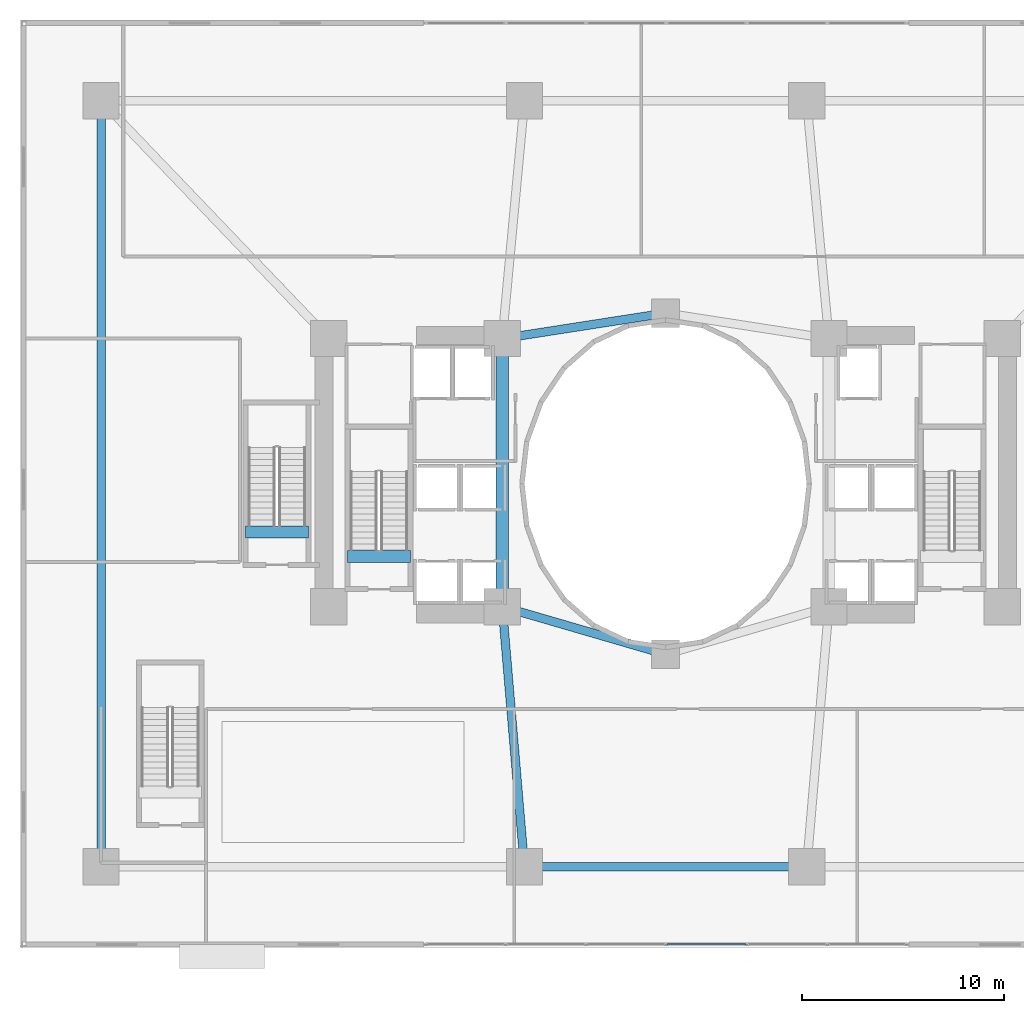
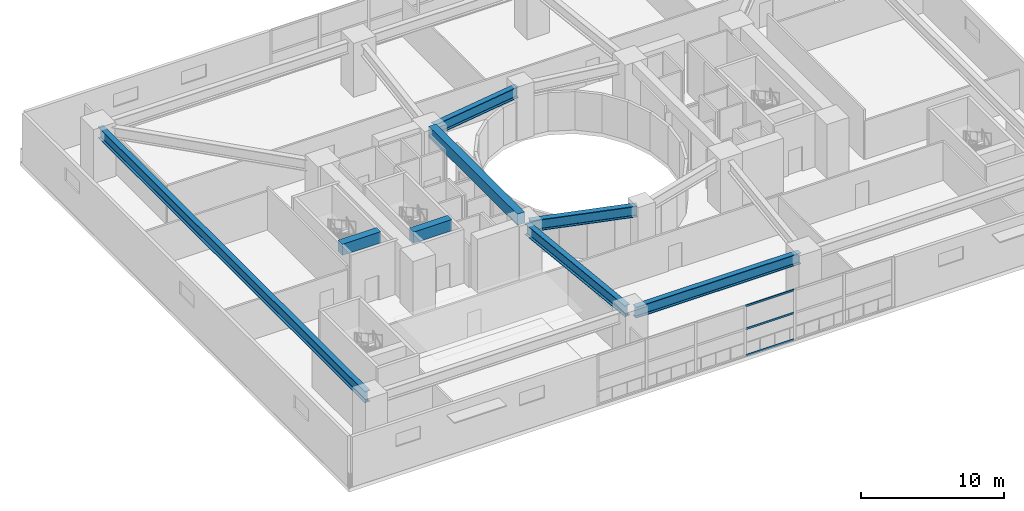
# One storey, part 3 of 20: 8 beams, 3 members, 1 element without a shape of its own.
"""IFC4 building model written with IfcOpenShell, lengths in metres."""

from ifc_helpers import new_model, si_unit, direction, frame, origin, origin_2d, place, context, subcontext, project, spatial, rectangle, hollow_rectangle, i_section, extrude, material, layer, layer_set, material_profile, profile_set, type_object, element, aggregate, save


model = new_model("IFC4")

# Units and contexts
model_context = context("Model", 3, precision=1e-05, world=origin(), true_north=direction((0.0, 1.0)))
body_context = subcontext(model_context, "Body", "Model", "MODEL_VIEW")
ifc_project = project(units=[si_unit("LENGTHUNIT", "METRE"), si_unit("AREAUNIT", "SQUARE_METRE"), si_unit("VOLUMEUNIT", "CUBIC_METRE"), si_unit("PLANEANGLEUNIT", "RADIAN"), si_unit("MASSUNIT", "GRAM", prefix="KILO")], contexts=[model_context])

# Site, building, storey
site_placement = place(None, origin())
site = spatial("IfcSite", under=ifc_project, at=site_placement, CompositionType="ELEMENT")
building_placement = place(site_placement, origin())
building = spatial("IfcBuilding", under=site, at=building_placement, Name="Solvane Sanctuary Tower", CompositionType="ELEMENT")
storey_placement = place(building_placement, frame((0.0, 0.0, 9.199951171875)))
storey = spatial("IfcBuildingStorey", under=building, at=storey_placement, Name="L03", CompositionType="ELEMENT", Elevation=9.199951171875)

# Beams
ifc_material_1 = material(Name="Concrete C70/85", Category="concrete")
ifc_material_profile_1 = material_profile(ifc_material_1, rectangle(XDim=0.60009765625, YDim=0.949951171875, at=origin_2d()), Name="RC600X950")
ifc_profile_set_1 = profile_set([ifc_material_profile_1], Name="Concrete C70/85")
beam_type_1 = type_object("IfcBeamType", Name="Beam B-COUPLE RC600X950", PredefinedType="LINTEL", material=ifc_profile_set_1)
beam_1_placement = place(storey_placement, frame((23.89990234375, 17.35009765625, 4.125), z_axis=(0.0, 1.0, 0.0), x_axis=(-1.0, 0.0, 0.0)))
element("IfcBeam", 1, at=beam_1_placement, inside=storey, type_object=beam_type_1, Name="L03 West Core Coupling Lintel", PredefinedType="LINTEL", context=body_context, shape_type="SweptSolid", body=[
    extrude(rectangle(XDim=0.60009765625, YDim=0.949951171875, at=origin_2d()), origin(), (0.0, 0.0, 1.0), 12.39990234375),
])
for number, where, z_axis, x_axis, name in (
    (2, (16.22998046875, 19.399169921875, 4.125), (1.0, 0.0, 0.0), (0.0, 1.0, 0.0), "L03 ST-1 Stair Floor Landing Trimmer"),
    (3, (11.169921875, 20.59912109375, 4.125), (1.0, 0.0, 0.0), (0.0, 1.0, 0.0), "L03 ST-3 Stair Floor Landing Trimmer"),
):
    element("IfcBeam", number, at=place(storey_placement, frame(where, z_axis=z_axis, x_axis=x_axis)), inside=storey, type_object=beam_type_1, Name=name, PredefinedType="LINTEL", context=body_context, shape_type="SweptSolid", body=[
        extrude(rectangle(XDim=0.60009765625, YDim=0.949951171875, at=origin_2d()), origin(), (0.0, 0.0, 1.0), 3.1201171875),
    ])
ifc_material_2 = material(Name="Steel ASTM A913 Grade 65", Category="steel")
ifc_material_profile_2 = material_profile(ifc_material_2, i_section(OverallWidth=0.423095703125, OverallDepth=0.947998046875, WebThickness=0.02392578125, FlangeThickness=0.042724609375, FilletRadius=0.02392578125, at=origin_2d()), Name="W36X302")
ifc_profile_set_2 = profile_set([ifc_material_profile_2], Name="Steel ASTM A913 Grade 65")
beam_type_2 = type_object("IfcBeamType", Name="Beam B-POD-GIRD W36X302", PredefinedType="BEAM", material=ifc_profile_set_2)
beam_2_placement = place(storey_placement, frame((25.35009765625, 4.0, 3.803955078125), z_axis=(1.0, 0.0, 0.0), x_axis=(0.0, 1.0, 0.0)))
element("IfcBeam", 4, at=beam_2_placement, inside=storey, type_object=beam_type_2, Name="L03 Podium Primary Girder PG2", PredefinedType="BEAM", context=body_context, shape_type="SweptSolid", body=[
    extrude(i_section(OverallWidth=0.423095703125, OverallDepth=0.947998046875, WebThickness=0.02392578125, FlangeThickness=0.042724609375, FilletRadius=0.02392578125, at=origin_2d()), origin(), (0.0, 0.0, 1.0), 13.2998046875),
])
beam_3_placement = place(storey_placement, frame((4.0, 41.64990234375, 3.803955078125), z_axis=(0.0, -1.0, 0.0), x_axis=(1.0, 0.0, 0.0)))
element("IfcBeam", 5, at=beam_3_placement, inside=storey, type_object=beam_type_2, Name="L03 Podium Primary Girder PG8", PredefinedType="BEAM", context=body_context, shape_type="SweptSolid", body=[
    extrude(i_section(OverallWidth=0.423095703125, OverallDepth=0.947998046875, WebThickness=0.02392578125, FlangeThickness=0.042724609375, FilletRadius=0.02392578125, at=origin_2d()), origin(), (0.0, 0.0, 1.0), 37.2998046875),
])
beam_4_placement = place(storey_placement, frame((24.97021484375, 4.3486328125, 3.803955078125), z_axis=(-0.084962372295, 0.996384160499, 0.0), x_axis=(-0.996384160499, -0.084962372295, 0.0)))
element("IfcBeam", 6, at=beam_4_placement, inside=storey, type_object=beam_type_2, Name="L03 Podium Primary Girder PG9", PredefinedType="BEAM", context=body_context, shape_type="SweptSolid", body=[
    extrude(i_section(OverallWidth=0.423095703125, OverallDepth=0.947998046875, WebThickness=0.02392578125, FlangeThickness=0.042724609375, FilletRadius=0.02392578125, at=origin_2d()), origin(), (0.0, 0.0, 1.0), 12.246826171875),
])
beam_5_placement = place(storey_placement, frame((24.236083984375, 16.802001953125, 3.803955078125), z_axis=(0.960084424813, -0.279710380987, 0.0), x_axis=(0.279710380987, 0.960084424813, 0.0)))
element("IfcBeam", 7, at=beam_5_placement, inside=storey, type_object=beam_type_2, Name="L03 Podium Primary Girder PG17", PredefinedType="BEAM", context=body_context, shape_type="SweptSolid", body=[
    extrude(i_section(OverallWidth=0.423095703125, OverallDepth=0.947998046875, WebThickness=0.02392578125, FlangeThickness=0.042724609375, FilletRadius=0.02392578125, at=origin_2d()), origin(), (0.0, 0.0, 1.0), 7.73681640625),
])
beam_6_placement = place(storey_placement, frame((24.245849609375, 30.25390625, 3.803955078125), z_axis=(0.988118117449, 0.153696408448, 0.0), x_axis=(-0.153696408448, 0.988118117449, 0.0)))
element("IfcBeam", 8, at=beam_6_placement, inside=storey, type_object=beam_type_2, Name="L03 Podium Primary Girder PG19", PredefinedType="BEAM", context=body_context, shape_type="SweptSolid", body=[
    extrude(i_section(OverallWidth=0.423095703125, OverallDepth=0.947998046875, WebThickness=0.02392578125, FlangeThickness=0.042724609375, FilletRadius=0.02392578125, at=origin_2d()), origin(), (0.0, 0.0, 1.0), 7.49755859375),
])

# Curtain wall, members
ifc_material_3 = material(Name="Anodised Aluminium 6063-T6", Category="aluminium")
ifc_layer = layer(ifc_material_3, 0.159912109375, Name="Anodised Aluminium 6063-T6")
ifc_layer_set = layer_set([ifc_layer], Name="Anodised Aluminium 6063-T6")
curtain_wall_type = type_object("IfcCurtainWallType", Name="Curtain Wall CW-POD", PredefinedType="NOTDEFINED", material=ifc_layer_set)
curtain_wall_placement = place(storey_placement, origin())
curtain_wall = element("IfcCurtainWall", 9, at=curtain_wall_placement, inside=storey, type_object=curtain_wall_type, Name="L03 Sanctuary Curtain Wall S2", PredefinedType="NOTDEFINED")
ifc_material_profile_3 = material_profile(ifc_material_3, hollow_rectangle(XDim=0.06494140625, YDim=0.159912109375, WallThickness=0.00341796875, at=origin_2d()), Name="ALU160X65X3.5")
ifc_profile_set_3 = profile_set([ifc_material_profile_3], Name="Anodised Aluminium 6063-T6")
member_type = type_object("IfcMemberType", Name="Member M-CW-TRN-1 ALU160X65X3.5", PredefinedType="USERDEFINED", material=ifc_profile_set_3)
member_1_placement = place(storey_placement, frame((32.077392578125, 0.14990234375, 0.032470703125), z_axis=(1.0, 0.0, 0.0), x_axis=(0.0, 1.0, 0.0)))
member_1 = element("IfcMember", 10, at=member_1_placement, type_object=member_type, Name="CW-POD transom 4.1", ObjectType="TRANSOM", PredefinedType="USERDEFINED", context=body_context, shape_type="SweptSolid", body=[
    extrude(hollow_rectangle(XDim=0.06494140625, YDim=0.159912109375, WallThickness=0.00341796875, at=origin_2d()), origin(), (0.0, 0.0, 1.0), 3.911865234375),
])
member_2_placement = place(storey_placement, frame((32.077392578125, 0.14990234375, 2.300048828125), z_axis=(1.0, 0.0, 0.0), x_axis=(0.0, 1.0, 0.0)))
member_2 = element("IfcMember", 11, at=member_2_placement, type_object=member_type, Name="CW-POD transom 4.2", ObjectType="TRANSOM", PredefinedType="USERDEFINED", context=body_context, shape_type="SweptSolid", body=[
    extrude(hollow_rectangle(XDim=0.06494140625, YDim=0.159912109375, WallThickness=0.00341796875, at=origin_2d()), origin(), (0.0, 0.0, 1.0), 3.911865234375),
])
member_3_placement = place(storey_placement, frame((32.077392578125, 0.14990234375, 4.24755859375), z_axis=(1.0, 0.0, 0.0), x_axis=(0.0, 1.0, 0.0)))
member_3 = element("IfcMember", 12, at=member_3_placement, type_object=member_type, Name="CW-POD transom 4.3", ObjectType="TRANSOM", PredefinedType="USERDEFINED", context=body_context, shape_type="SweptSolid", body=[
    extrude(hollow_rectangle(XDim=0.06494140625, YDim=0.159912109375, WallThickness=0.00341796875, at=origin_2d()), origin(), (0.0, 0.0, 1.0), 3.911865234375),
])
aggregate(curtain_wall, [member_1, member_2, member_3])

save(model, "model.ifc")
